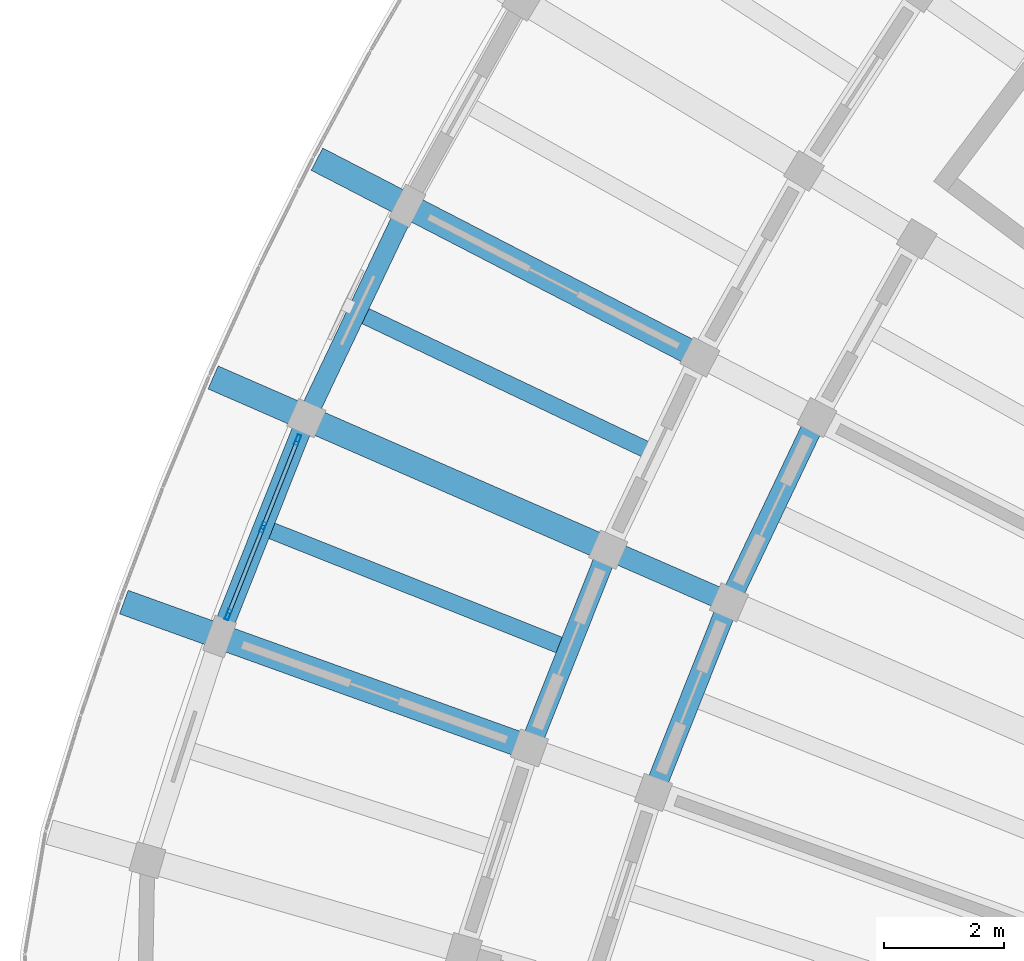
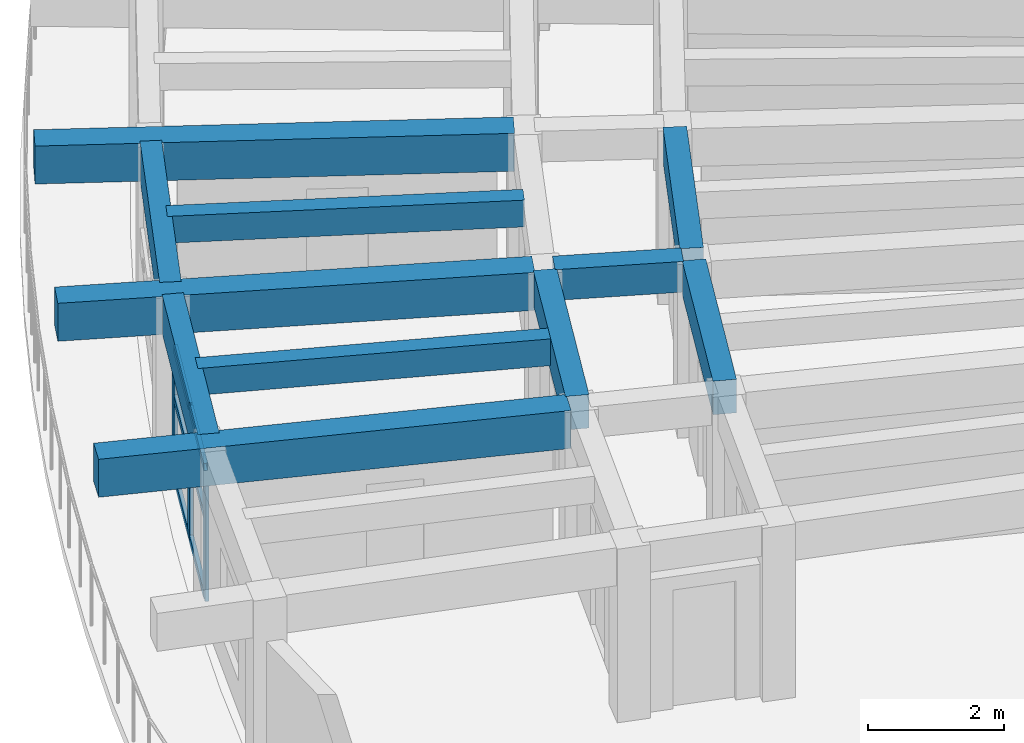
# One storey, part 12 of 83: 11 beams, 9 members, 1 element without a shape of its own.
"""IFC4 building model written with IfcOpenShell, lengths in metres."""

from ifc_helpers import new_model, si_unit, direction, frame, origin, origin_2d, place, context, subcontext, project, spatial, rectangle, hollow_rectangle, extrude, material, material_profile, profile_set, type_object, element, aggregate, save


model = new_model("IFC4")

# Units and contexts
model_context = context("Model", 3, precision=1e-05, world=origin(), true_north=direction((0.0, 1.0)))
body_context = subcontext(model_context, "Body", "Model", "MODEL_VIEW")
ifc_project = project(units=[si_unit("LENGTHUNIT", "METRE"), si_unit("AREAUNIT", "SQUARE_METRE"), si_unit("VOLUMEUNIT", "CUBIC_METRE"), si_unit("PLANEANGLEUNIT", "RADIAN"), si_unit("MASSUNIT", "GRAM", prefix="KILO")], contexts=[model_context])

# Site, building, storey
site_placement = place(None, origin())
site = spatial("IfcSite", under=ifc_project, at=site_placement, CompositionType="ELEMENT")
building_placement = place(site_placement, origin())
building = spatial("IfcBuilding", under=site, at=building_placement, Name="Tanwirah Colonnade Gardens", CompositionType="ELEMENT")
storey_placement = place(building_placement, frame((0.0, 0.0, 25.639892578125)))
storey = spatial("IfcBuildingStorey", under=building, at=storey_placement, Name="L07", CompositionType="ELEMENT", Elevation=25.639892578125)

# Beams
ifc_material_1 = material(Name="Precast concrete C40/50", Category="concrete")
ifc_material_profile_1 = material_profile(ifc_material_1, rectangle(XDim=0.35009765625, YDim=0.550048828125, at=origin_2d()), Name="PC-BM 350x550")
ifc_profile_set_1 = profile_set([ifc_material_profile_1], Name="Precast concrete C40/50")
beam_type_1 = type_object("IfcBeamType", Name="BM-PC350A", PredefinedType="BEAM", material=ifc_profile_set_1)
beam_1_placement = place(storey_placement, frame((17.3330078125, 80.981201171875, 2.835205078125), z_axis=(-0.916681481826, 0.399618644306, 0.0), x_axis=(-0.399618644306, -0.916681481826, 0.0)))
element("IfcBeam", 1, at=beam_1_placement, inside=storey, type_object=beam_type_1, Name="Block A L07 Corridor Tie Beam 16", PredefinedType="BEAM", context=body_context, shape_type="SweptSolid", body=[
    extrude(rectangle(XDim=0.35009765625, YDim=0.550048828125, at=origin_2d()), origin(), (0.0, 0.0, 1.0), 1.89990234375),
])
ifc_material_profile_2 = material_profile(ifc_material_1, rectangle(XDim=0.35009765625, YDim=0.60009765625, at=origin_2d()), Name="PC-BM 350x600")
ifc_profile_set_2 = profile_set([ifc_material_profile_2], Name="Precast concrete C40/50")
beam_type_2 = type_object("IfcBeamType", Name="BM-PC350B", PredefinedType="BEAM", material=ifc_profile_set_2)
beam_2_placement = place(storey_placement, frame((18.87451171875, 83.872314453125, 2.81005859375), z_axis=(-0.429620507728, -0.903009534468, 0.0), x_axis=(0.903009534468, -0.429620507728, 0.0)))
element("IfcBeam", 2, at=beam_2_placement, inside=storey, type_object=beam_type_2, Name="Block A L07 Circumferential Beam 15-R1", PredefinedType="BEAM", context=body_context, shape_type="SweptSolid", body=[
    extrude(rectangle(XDim=0.35009765625, YDim=0.60009765625, at=origin_2d()), origin(), (0.0, 0.0, 1.0), 3.1181640625),
])
beam_3_placement = place(storey_placement, frame((17.4150390625, 80.78173828125, 2.81005859375), z_axis=(-0.369189105832, -0.929354294193, 0.0), x_axis=(0.929354294193, -0.369189105832, 0.0)))
element("IfcBeam", 3, at=beam_3_placement, inside=storey, type_object=beam_type_2, Name="Block A L07 Circumferential Beam 16-R1", PredefinedType="BEAM", context=body_context, shape_type="SweptSolid", body=[
    extrude(rectangle(XDim=0.35009765625, YDim=0.60009765625, at=origin_2d()), origin(), (0.0, 0.0, 1.0), 3.117919921875),
])
beam_4_placement = place(storey_placement, frame((15.3984375, 81.6611328125, 2.81005859375), z_axis=(-0.369209712056, -0.929346108037, 0.0), x_axis=(0.929346108037, -0.369209712056, 0.0)))
element("IfcBeam", 4, at=beam_4_placement, inside=storey, type_object=beam_type_2, Name="Block A L07 Circumferential Beam 16-R2", PredefinedType="BEAM", context=body_context, shape_type="SweptSolid", body=[
    extrude(rectangle(XDim=0.35009765625, YDim=0.60009765625, at=origin_2d()), origin(), (0.0, 0.0, 1.0), 3.26318359375),
])
ifc_material_2 = material(Name="Precast concrete C45/55", Category="concrete")
ifc_material_profile_3 = material_profile(ifc_material_2, rectangle(XDim=0.419921875, YDim=0.679931640625, at=origin_2d()), Name="PC-BM 420x680")
ifc_profile_set_3 = profile_set([ifc_material_profile_3], Name="Precast concrete C45/55")
beam_type_3 = type_object("IfcBeamType", Name="BM-PC420", PredefinedType="BEAM", material=ifc_profile_set_3)
beam_5_placement = place(storey_placement, frame((16.851318359375, 85.0869140625, 2.77001953125), z_axis=(-0.888348690665, 0.459169471758, 0.0), x_axis=(-0.459169471758, -0.888348690665, 0.0)))
element("IfcBeam", 5, at=beam_5_placement, inside=storey, type_object=beam_type_3, Name="Block A L07 Outer Radial Precast Girder 15", PredefinedType="BEAM", context=body_context, shape_type="SweptSolid", body=[
    extrude(rectangle(XDim=0.419921875, YDim=0.679931640625, at=origin_2d()), origin(), (0.0, 0.0, 1.0), 7.0498046875),
])
beam_6_placement = place(storey_placement, frame((15.31640625, 81.8603515625, 2.77001953125), z_axis=(-0.916678725612, 0.399624966702, 0.0), x_axis=(-0.399624966702, -0.916678725612, 0.0)))
element("IfcBeam", 6, at=beam_6_placement, inside=storey, type_object=beam_type_3, Name="Block A L07 Outer Radial Precast Girder 16", PredefinedType="BEAM", context=body_context, shape_type="SweptSolid", body=[
    extrude(rectangle(XDim=0.419921875, YDim=0.679931640625, at=origin_2d()), origin(), (0.0, 0.0, 1.0), 7.050048828125),
])
beam_7_placement = place(storey_placement, frame((13.9970703125, 78.539794921875, 2.77001953125), z_axis=(-0.941011841171, 0.338373631917, 0.0), x_axis=(-0.338373631917, -0.941011841171, 0.0)))
element("IfcBeam", 7, at=beam_7_placement, inside=storey, type_object=beam_type_3, Name="Block A L07 Outer Radial Precast Girder 17", PredefinedType="BEAM", context=body_context, shape_type="SweptSolid", body=[
    extrude(rectangle(XDim=0.419921875, YDim=0.679931640625, at=origin_2d()), origin(), (0.0, 0.0, 1.0), 7.0498046875),
])

# Curtain wall, members
ifc_material_3 = material(Name="Bronze-anodised aluminium and solar-control low-E glass", Category="aluminium")
curtain_wall_type = type_object("IfcCurtainWallType", Name="CW-LOB", PredefinedType="NOTDEFINED", material=ifc_material_3)
curtain_wall_placement = place(storey_placement, origin())
curtain_wall = element("IfcCurtainWall", 8, at=curtain_wall_placement, inside=storey, type_object=curtain_wall_type, Name="Curtain Wall CW-A-L07-OUT-16", PredefinedType="NOTDEFINED")
ifc_material_4 = material(Name="Bronze-anodised aluminium", Category="aluminium")
ifc_material_profile_4 = material_profile(ifc_material_4, hollow_rectangle(XDim=0.06494140625, YDim=0.179931640625, WallThickness=0.00390625, at=origin_2d()), Name="CW-MUL 65x180x4")
ifc_profile_set_4 = profile_set([ifc_material_profile_4], Name="Bronze-anodised aluminium")
member_type_1 = type_object("IfcMemberType", Name="CWM-65x180", PredefinedType="MULLION", material=ifc_profile_set_4)
member_1_placement = place(storey_placement, frame((10.26708984375, 83.6337890625, 0.0), z_axis=(0.0, 0.0, 1.0), x_axis=(0.929346924976, -0.369207655713, 0.0)))
member_1 = element("IfcMember", 9, at=member_1_placement, type_object=member_type_1, Name="CW-LOB mullion 1", PredefinedType="MULLION", context=body_context, shape_type="SweptSolid", body=[
    extrude(hollow_rectangle(XDim=0.06494140625, YDim=0.179931640625, WallThickness=0.00390625, at=origin_2d()), origin(), (0.0, 0.0, 1.0), 2.355224609375),
])
member_2_placement = place(storey_placement, frame((9.6875, 82.17431640625, 0.0), z_axis=(0.0, 0.0, 1.0), x_axis=(0.929346924976, -0.369207655713, 0.0)))
member_2 = element("IfcMember", 10, at=member_2_placement, type_object=member_type_1, Name="CW-LOB mullion 2", PredefinedType="MULLION", context=body_context, shape_type="SweptSolid", body=[
    extrude(hollow_rectangle(XDim=0.06494140625, YDim=0.179931640625, WallThickness=0.00390625, at=origin_2d()), origin(), (0.0, 0.0, 1.0), 2.355224609375),
])
member_3_placement = place(storey_placement, frame((9.107666015625, 80.71484375, 0.0), z_axis=(0.0, 0.0, 1.0), x_axis=(0.929346924976, -0.369207655713, 0.0)))
member_3 = element("IfcMember", 11, at=member_3_placement, type_object=member_type_1, Name="CW-LOB mullion 3", PredefinedType="MULLION", context=body_context, shape_type="SweptSolid", body=[
    extrude(hollow_rectangle(XDim=0.06494140625, YDim=0.179931640625, WallThickness=0.00390625, at=origin_2d()), origin(), (0.0, 0.0, 1.0), 2.355224609375),
])
ifc_material_profile_5 = material_profile(ifc_material_4, hollow_rectangle(XDim=0.06494140625, YDim=0.135009765625, WallThickness=0.00390625, at=origin_2d()), Name="CW-TRN 65x135x4")
ifc_profile_set_5 = profile_set([ifc_material_profile_5], Name="Bronze-anodised aluminium")
member_type_2 = type_object("IfcMemberType", Name="CWT-65x135", PredefinedType="USERDEFINED", material=ifc_profile_set_5)
member_4_placement = place(storey_placement, frame((10.255126953125, 83.603515625, 0.03271484375), z_axis=(-0.369152446307, -0.929368856475, 0.0), x_axis=(0.929368856475, -0.369152446307, 0.0)))
member_4 = element("IfcMember", 12, at=member_4_placement, type_object=member_type_2, Name="CW-LOB transom 1.1", ObjectType="TRANSOM", PredefinedType="USERDEFINED", context=body_context, shape_type="SweptSolid", body=[
    extrude(hollow_rectangle(XDim=0.06494140625, YDim=0.135009765625, WallThickness=0.00390625, at=origin_2d()), origin(), (0.0, 0.0, 1.0), 1.505126953125),
])
member_5_placement = place(storey_placement, frame((10.255126953125, 83.603515625, 1.460205078125), z_axis=(-0.369152446307, -0.929368856475, 0.0), x_axis=(0.929368856475, -0.369152446307, 0.0)))
member_5 = element("IfcMember", 13, at=member_5_placement, type_object=member_type_2, Name="CW-LOB transom 1.2", ObjectType="TRANSOM", PredefinedType="USERDEFINED", context=body_context, shape_type="SweptSolid", body=[
    extrude(hollow_rectangle(XDim=0.06494140625, YDim=0.135009765625, WallThickness=0.00390625, at=origin_2d()), origin(), (0.0, 0.0, 1.0), 1.505126953125),
])
member_6_placement = place(storey_placement, frame((10.255126953125, 83.603515625, 2.322509765625), z_axis=(-0.369152446307, -0.929368856475, 0.0), x_axis=(0.929368856475, -0.369152446307, 0.0)))
member_6 = element("IfcMember", 14, at=member_6_placement, type_object=member_type_2, Name="CW-LOB transom 1.3", ObjectType="TRANSOM", PredefinedType="USERDEFINED", context=body_context, shape_type="SweptSolid", body=[
    extrude(hollow_rectangle(XDim=0.06494140625, YDim=0.135009765625, WallThickness=0.00390625, at=origin_2d()), origin(), (0.0, 0.0, 1.0), 1.505126953125),
])
member_7_placement = place(storey_placement, frame((9.675537109375, 82.14404296875, 0.03271484375), z_axis=(-0.369292524559, -0.929313204095, 0.0), x_axis=(0.929313204095, -0.369292524559, 0.0)))
member_7 = element("IfcMember", 15, at=member_7_placement, type_object=member_type_2, Name="CW-LOB transom 2.1", ObjectType="TRANSOM", PredefinedType="USERDEFINED", context=body_context, shape_type="SweptSolid", body=[
    extrude(hollow_rectangle(XDim=0.06494140625, YDim=0.135009765625, WallThickness=0.00390625, at=origin_2d()), origin(), (0.0, 0.0, 1.0), 1.50537109375),
])
member_8_placement = place(storey_placement, frame((9.675537109375, 82.14404296875, 1.460205078125), z_axis=(-0.369292524559, -0.929313204095, 0.0), x_axis=(0.929313204095, -0.369292524559, 0.0)))
member_8 = element("IfcMember", 16, at=member_8_placement, type_object=member_type_2, Name="CW-LOB transom 2.2", ObjectType="TRANSOM", PredefinedType="USERDEFINED", context=body_context, shape_type="SweptSolid", body=[
    extrude(hollow_rectangle(XDim=0.06494140625, YDim=0.135009765625, WallThickness=0.00390625, at=origin_2d()), origin(), (0.0, 0.0, 1.0), 1.50537109375),
])
member_9_placement = place(storey_placement, frame((9.675537109375, 82.14404296875, 2.322509765625), z_axis=(-0.369292524559, -0.929313204095, 0.0), x_axis=(0.929313204095, -0.369292524559, 0.0)))
member_9 = element("IfcMember", 17, at=member_9_placement, type_object=member_type_2, Name="CW-LOB transom 2.3", ObjectType="TRANSOM", PredefinedType="USERDEFINED", context=body_context, shape_type="SweptSolid", body=[
    extrude(hollow_rectangle(XDim=0.06494140625, YDim=0.135009765625, WallThickness=0.00390625, at=origin_2d()), origin(), (0.0, 0.0, 1.0), 1.50537109375),
])
aggregate(curtain_wall, [member_1, member_2, member_3, member_4, member_5, member_6, member_7, member_8, member_9])

# Beams
ifc_material_profile_6 = material_profile(ifc_material_1, rectangle(XDim=0.280029296875, YDim=0.47998046875, at=origin_2d()), Name="PC-JST 280x480")
ifc_profile_set_6 = profile_set([ifc_material_profile_6], Name="Precast concrete C40/50")
beam_type_4 = type_object("IfcBeamType", Name="JST-PC280", PredefinedType="JOIST", material=ifc_profile_set_6)
beam_8_placement = place(storey_placement, frame((16.08447265625, 83.473388671875, 2.8701171875), z_axis=(-0.903018314862, 0.429602051931, 0.0), x_axis=(-0.429602051931, -0.903018314862, 0.0)))
element("IfcBeam", 18, at=beam_8_placement, inside=storey, type_object=beam_type_4, Name="Block A L07 Precast Floor Joist 15", PredefinedType="JOIST", context=body_context, shape_type="SweptSolid", body=[
    extrude(rectangle(XDim=0.280029296875, YDim=0.47998046875, at=origin_2d()), origin(), (0.0, 0.0, 1.0), 5.26025390625),
])
beam_9_placement = place(storey_placement, frame((14.6572265625, 80.199951171875, 2.8701171875), z_axis=(-0.929357539836, 0.369180935517, 0.0), x_axis=(-0.369180935517, -0.929357539836, 0.0)))
element("IfcBeam", 19, at=beam_9_placement, inside=storey, type_object=beam_type_4, Name="Block A L07 Precast Floor Joist 16", PredefinedType="JOIST", context=body_context, shape_type="SweptSolid", body=[
    extrude(rectangle(XDim=0.280029296875, YDim=0.47998046875, at=origin_2d()), origin(), (0.0, 0.0, 1.0), 5.260009765625),
])
ifc_material_profile_7 = material_profile(ifc_material_2, rectangle(XDim=0.320068359375, YDim=0.679931640625, at=origin_2d()), Name="PC-SP 320x680")
ifc_profile_set_7 = profile_set([ifc_material_profile_7], Name="Precast concrete C45/55")
beam_type_5 = type_object("IfcBeamType", Name="SP-PC320", PredefinedType="SPANDREL", material=ifc_profile_set_7)
for number, where, z_axis, x_axis, name in (
    (20, (12.0341796875, 87.407958984375, 2.77001953125), (-0.429593766142, -0.903022256698, 0.0), (0.903022256698, -0.429593766142, 0.0), "Block A L07 Circumferential Beam 15-R3"),
    (21, (10.356689453125, 83.859130859375, 2.77001953125), (-0.369195460985, -0.929351769562, 0.0), (0.929351769562, -0.369195460985, 0.0), "Block A L07 Circumferential Beam 16-R3"),
):
    element("IfcBeam", number, at=place(storey_placement, frame(where, z_axis=z_axis, x_axis=x_axis)), inside=storey, type_object=beam_type_5, Name=name, PredefinedType="SPANDREL", context=body_context, shape_type="SweptSolid", body=[
        extrude(rectangle(XDim=0.320068359375, YDim=0.679931640625, at=origin_2d()), origin(), (0.0, 0.0, 1.0), 3.625732421875),
    ])

save(model, "model.ifc")
